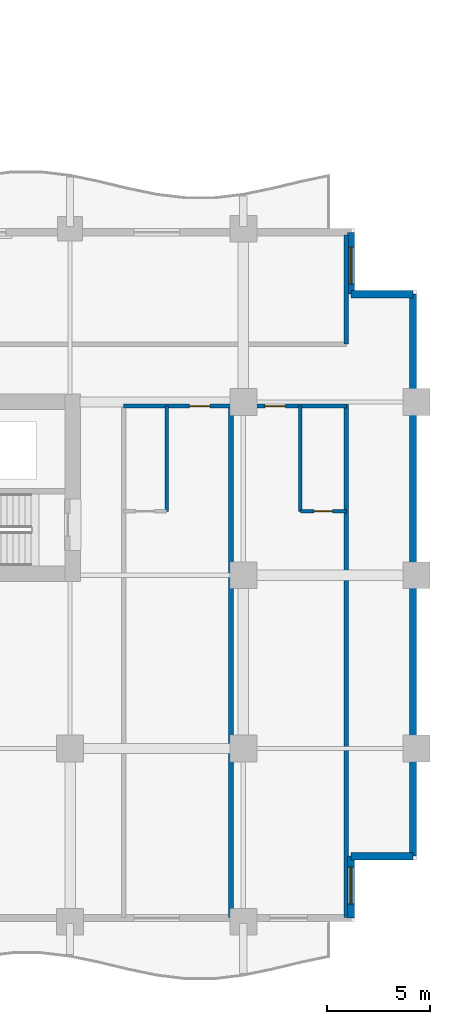
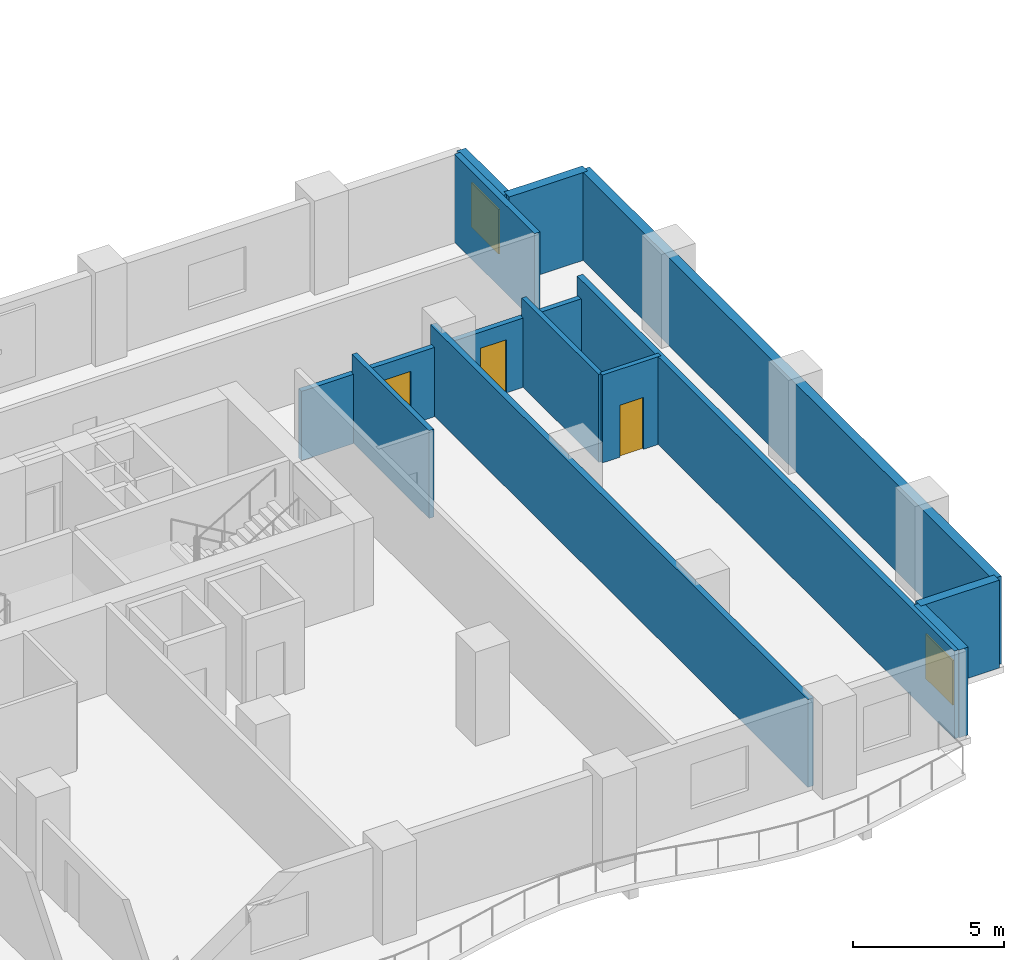
# One storey, part 10 of 18: 12 walls, 3 doors, 2 windows, 5 openings.
"""IFC4 building model written with IfcOpenShell, lengths in metres."""

import ifcopenshell
import ifcopenshell.guid

model = None  # the IFC model being written
_history = None  # IfcOwnerHistory: only IFC2X3 demands one
_inside = {}  # id of a spatial element -> (the spatial element, [elements in it])
_under = {}  # id of a project, library or spatial element -> (it, [spatial elements below it])
_declared = {}  # id of a project -> (the project, [libraries it declares])
_typed = {}  # id of a type object -> (the type object, [elements of that type])
_made_of = {}  # id of a material, layer set ... -> (it, [elements and type objects made of it])


def new_model(schema):
    """Start an empty IFC model of exactly this schema.

    Asked for "IFC4X3", IfcOpenShell would pick the latest addendum, in which some entities
    have other attributes; the version numbers below select the first issue.
    IFC2X3 requires an IfcOwnerHistory on every rooted entity: one is made here for all.
    """
    global model, _history
    if schema == "IFC4X3":
        model = ifcopenshell.file(schema_version=(4, 3, 0, 0))
    else:
        model = ifcopenshell.file(schema=schema)
    _inside.clear()
    _under.clear()
    _declared.clear()
    _typed.clear()
    _made_of.clear()
    _history = None
    if model.schema == "IFC2X3":
        org = make("IfcOrganization", Name="unknown")
        user = make(
            "IfcPersonAndOrganization",
            ThePerson=make("IfcPerson", FamilyName="unknown"),
            TheOrganization=org,
        )
        app = make(
            "IfcApplication",
            ApplicationDeveloper=org,
            Version="unknown",
            ApplicationFullName="unknown",
            ApplicationIdentifier="unknown",
        )
        _history = make(
            "IfcOwnerHistory",
            OwningUser=user,
            OwningApplication=app,
            ChangeAction="ADDED",
            CreationDate=0,
        )
    return model


def make(cls, **values):
    """One entity of the class cls with the attributes given. An attribute that is None is left unset."""
    return model.create_entity(
        cls, **{name: value for name, value in values.items() if value is not None}
    )


def rooted(cls, **values):
    """An entity with a GlobalId (a new one), such as an element, a storey or a relation."""
    return make(cls, GlobalId=ifcopenshell.guid.new(), OwnerHistory=_history, **values)


def si_unit(unit_type, name, prefix=None):
    """IfcSIUnit, for example si_unit("LENGTHUNIT", "METRE", prefix="MILLI")."""
    return make("IfcSIUnit", UnitType=unit_type, Prefix=prefix, Name=name)


def assignment(units):
    """IfcUnitAssignment: the units of a project."""
    return None if units is None else make("IfcUnitAssignment", Units=units)


def point(xyz):
    """IfcCartesianPoint."""
    return None if xyz is None else make("IfcCartesianPoint", Coordinates=xyz)


def direction(xyz):
    """IfcDirection."""
    return None if xyz is None else make("IfcDirection", DirectionRatios=xyz)


def frame(location, z_axis=None, x_axis=None):
    """IfcAxis2Placement3D, a coordinate frame: its origin and axes. An axis left out is left unset."""
    return make(
        "IfcAxis2Placement3D",
        Location=point(location),
        Axis=direction(z_axis),
        RefDirection=direction(x_axis),
    )


def frame_2d(location, x_axis=None):
    """IfcAxis2Placement2D, a coordinate frame in the plane: its origin and x axis."""
    return make(
        "IfcAxis2Placement2D", Location=point(location), RefDirection=direction(x_axis)
    )


def origin():
    """The frame at (0, 0, 0) with its axes left unset."""
    return frame((0.0, 0.0, 0.0))


def place(relative_to, where):
    """IfcLocalPlacement: puts the frame where relative to a parent placement (None: the world)."""
    return make(
        "IfcLocalPlacement", PlacementRelTo=relative_to, RelativePlacement=where
    )


def context(
    kind, dimensions, precision=None, world=None, true_north=None, identifier=None
):
    """IfcGeometricRepresentationContext, for example the 3D "Model" context."""
    return make(
        "IfcGeometricRepresentationContext",
        ContextIdentifier=identifier,
        ContextType=kind,
        CoordinateSpaceDimension=dimensions,
        Precision=precision,
        WorldCoordinateSystem=world,
        TrueNorth=true_north,
    )


def subcontext(parent, identifier, kind, view, scale=None):
    """IfcGeometricRepresentationSubContext, for example "Body" below "Model"."""
    return make(
        "IfcGeometricRepresentationSubContext",
        ContextIdentifier=identifier,
        ContextType=kind,
        ParentContext=parent,
        TargetScale=scale,
        TargetView=view,
    )


def project(units=None, contexts=None):
    """IfcProject with its units and contexts."""
    return rooted(
        "IfcProject",
        Name="project",
        RepresentationContexts=contexts,
        UnitsInContext=assignment(units),
    )


def spatial(cls, under=None, at=None, **own):
    """A site, building, storey or space (cls), placed at a placement, below another one or the project."""
    s = rooted(cls, ObjectPlacement=at, **own)
    if under is not None:
        _under.setdefault(under.id(), (under, []))[1].append(s)
    return s


def profile(cls, at=None, kind="AREA", **sizes):
    """A parametric profile (cls). Its sizes go by their IFC names, for example OverallWidth=200.0."""
    return make(cls, ProfileType=kind, Position=at, **sizes)


def rectangle(**sizes):
    """IfcRectangleProfileDef."""
    return profile("IfcRectangleProfileDef", **sizes)


def extrude(swept, where, along, depth):
    """IfcExtrudedAreaSolid: the profile swept, set in the frame where, extruded along a direction by depth."""
    return make(
        "IfcExtrudedAreaSolid",
        SweptArea=swept,
        Position=where,
        ExtrudedDirection=direction(along),
        Depth=depth,
    )


def shape(context_of_items, identifier, shape_type, items):
    """IfcShapeRepresentation: the items that make up one representation, for example the "Body"."""
    return make(
        "IfcShapeRepresentation",
        ContextOfItems=context_of_items,
        RepresentationIdentifier=identifier,
        RepresentationType=shape_type,
        Items=items,
    )


def material(Name=None, Category=None):
    """IfcMaterial."""
    return make("IfcMaterial", Name=Name, Category=Category)


def layer(
    of_material, thickness, ventilated=None, Name=None, Category=None, Priority=None
):
    """IfcMaterialLayer: one layer of a wall or slab, of a material (None: an air gap)."""
    return make(
        "IfcMaterialLayer",
        Material=of_material,
        LayerThickness=thickness,
        IsVentilated=ventilated,
        Name=Name,
        Category=Category,
        Priority=Priority,
    )


def layer_set(layers, Name=None):
    """IfcMaterialLayerSet."""
    return make("IfcMaterialLayerSet", MaterialLayers=layers, LayerSetName=Name)


def made_of(thing, what):
    """Note that an element or type object is made of a material, layer set ...; save() writes the relation."""
    if what is not None:
        _made_of.setdefault(what.id(), (what, []))[1].append(thing)
    return thing


def type_object(cls, material=None, **own):
    """A type object (cls), such as IfcWallType, which elements share."""
    return made_of(rooted(cls, **own), material)


def element(
    cls,
    number,
    at=None,
    inside=None,
    cuts=None,
    type_object=None,
    material=None,
    context=None,
    identifier="Body",
    shape_type=None,
    held_by="IfcProductDefinitionShape",
    body=None,
    shapes=None,
    **own,
):
    """One element of the class cls, such as IfcWall. Its Tag is "e" and its number.

    at: its placement. inside: the storey or other place that contains it. cuts: it is an
    opening in that element (IfcRelVoidsElement). A single representation is given by context,
    identifier, shape_type and body (its items); several are given by shapes. held_by: the class
    of the entity that holds the representations. save() writes the other relations.
    """
    e = rooted(cls, Tag="e%d" % number, ObjectPlacement=at, **own)
    if body is not None:
        shapes = [shape(context, identifier, shape_type, body)]
    if shapes is not None:
        e.Representation = make(held_by, Representations=shapes)
    if inside is not None:
        _inside.setdefault(inside.id(), (inside, []))[1].append(e)
    if cuts is not None:
        rooted(
            "IfcRelVoidsElement", RelatingBuildingElement=cuts, RelatedOpeningElement=e
        )
    if type_object is not None:
        _typed.setdefault(type_object.id(), (type_object, []))[1].append(e)
    return made_of(e, material)


def fill(opening, filler):
    """IfcRelFillsElement: the door or window that sits in an opening."""
    return rooted(
        "IfcRelFillsElement",
        RelatingOpeningElement=opening,
        RelatedBuildingElement=filler,
    )


def aggregate(whole, parts):
    """IfcRelAggregates: a whole, such as a stair, and the parts it consists of."""
    return rooted("IfcRelAggregates", RelatingObject=whole, RelatedObjects=parts)


def save(model, path):
    """Write the relations noted so far, then the file.

    IfcRelAggregates (storeys below a building ...), IfcRelContainedInSpatialStructure (elements
    in a storey), IfcRelDefinesByType, IfcRelAssociatesMaterial and IfcRelDeclares: one each for
    every whole, place, type object, material and project.
    """
    for whole, parts in _under.values():
        aggregate(whole, parts)
    for where, things in _inside.values():
        rooted(
            "IfcRelContainedInSpatialStructure",
            RelatedElements=things,
            RelatingStructure=where,
        )
    for kind, things in _typed.values():
        rooted("IfcRelDefinesByType", RelatedObjects=things, RelatingType=kind)
    for what, things in _made_of.values():
        rooted("IfcRelAssociatesMaterial", RelatedObjects=things, RelatingMaterial=what)
    for by, libraries in _declared.values():
        rooted("IfcRelDeclares", RelatingContext=by, RelatedDefinitions=libraries)
    model.write(path)


model = new_model("IFC4")

# Units and contexts
model_context = context("Model", 3, precision=1e-05, world=origin(), true_north=direction((0.0, 1.0)))
body_context = subcontext(model_context, "Body", "Model", "MODEL_VIEW")
ifc_project = project(units=[si_unit("LENGTHUNIT", "METRE"), si_unit("AREAUNIT", "SQUARE_METRE"), si_unit("VOLUMEUNIT", "CUBIC_METRE"), si_unit("PLANEANGLEUNIT", "RADIAN"), si_unit("MASSUNIT", "GRAM", prefix="KILO")], contexts=[model_context])

# Site, building, storey
site_placement = place(None, origin())
site = spatial("IfcSite", under=ifc_project, at=site_placement, CompositionType="ELEMENT")
building_placement = place(site_placement, origin())
building = spatial("IfcBuilding", under=site, at=building_placement, Name="Koriwani Terraces Tower", CompositionType="ELEMENT")
storey_placement = place(building_placement, frame((0.0, 0.0, 100.0)))
storey = spatial("IfcBuildingStorey", under=building, at=storey_placement, Name="L23", CompositionType="ELEMENT", Elevation=100.0)

# Wall, openings, doors
ifc_material_1 = material(Name="Autoclaved Cellular Concrete Blockwork", Category="masonry")
ifc_layer_1 = layer(ifc_material_1, 0.199951171875, Name="Autoclaved Cellular Concrete Blockwork")
ifc_layer_set_1 = layer_set([ifc_layer_1], Name="Autoclaved Cellular Concrete Blockwork")
wall_type_1 = type_object("IfcWallType", Name="WALL_CORRIDOR_200", PredefinedType="PARTITIONING", material=ifc_layer_set_1)
wall_1_placement = place(storey_placement, frame((61.39990234375, 25.0, 0.0), z_axis=(0.0, 0.0, 1.0), x_axis=(1.0, 0.0, 0.0)))
wall_1 = element("IfcWall", 1, at=wall_1_placement, inside=storey, type_object=wall_type_1, Name="L23 Interior Wall WCOR-L23-SE-0", PredefinedType="PARTITIONING", context=body_context, shape_type="SweptSolid", body=[
    extrude(rectangle(XDim=10.800048828125, YDim=0.199951171875, at=frame_2d((5.39990234375, 0.0))), origin(), (0.0, 0.0, 1.0), 2.800048828125),
])
opening_1_placement = place(wall_1_placement, frame((3.179931640625, 0.0, 0.0)))
opening_1 = element("IfcOpeningElement", 2, at=opening_1_placement, cuts=wall_1, Name="Opening D-05", PredefinedType="OPENING", context=body_context, shape_type="SweptSolid", body=[
    extrude(rectangle(XDim=1.0, YDim=2.14990234375, at=frame_2d((0.5, 1.074951171875))), frame((0.0, 0.10986328125, 0.0), z_axis=(0.0, -1.0, 0.0), x_axis=(1.0, 0.0, 0.0)), (0.0, 0.0, 1.0), 0.219970703125),
])
opening_2_placement = place(wall_1_placement, frame((6.840087890625, 0.0, 0.0)))
opening_2 = element("IfcOpeningElement", 3, at=opening_2_placement, cuts=wall_1, Name="Opening D-05", PredefinedType="OPENING", context=body_context, shape_type="SweptSolid", body=[
    extrude(rectangle(XDim=1.0, YDim=2.14990234375, at=frame_2d((0.5, 1.074951171875))), frame((0.0, 0.10986328125, 0.0), z_axis=(0.0, -1.0, 0.0), x_axis=(1.0, 0.0, 0.0)), (0.0, 0.0, 1.0), 0.219970703125),
])
ifc_material_2 = material(Name="Architectural Oak Fire Door", Category="wood")
door_type_1 = type_object("IfcDoorType", Name="DOOR_SUITE_ENTRY_1000X2150", OperationType="NOTDEFINED", PredefinedType="DOOR", material=ifc_material_2)
door_1_placement = place(opening_1_placement, origin())
door_1 = element("IfcDoor", 4, at=door_1_placement, inside=storey, type_object=door_type_1, Name="Luxury Hotel Suite 23SE1 Entrance Door", OperationType="SINGLE_SWING_RIGHT", OverallHeight=2.14990234375, OverallWidth=1.0, PredefinedType="DOOR", context=body_context, shape_type="SweptSolid", body=[
    extrude(rectangle(XDim=1.0, YDim=2.14990234375, at=frame_2d((0.5, 1.074951171875))), frame((0.0, 0.02490234375, 0.0), z_axis=(0.0, -1.0, 0.0), x_axis=(1.0, 0.0, 0.0)), (0.0, 0.0, 1.0), 0.050048828125),
])
fill(opening_1, door_1)
door_2_placement = place(opening_2_placement, origin())
door_2 = element("IfcDoor", 5, at=door_2_placement, inside=storey, type_object=door_type_1, Name="Luxury Hotel Suite 23SE2 Entrance Door", OperationType="SINGLE_SWING_RIGHT", OverallHeight=2.14990234375, OverallWidth=1.0, PredefinedType="DOOR", context=body_context, shape_type="SweptSolid", body=[
    extrude(rectangle(XDim=1.0, YDim=2.14990234375, at=frame_2d((0.5, 1.074951171875))), frame((0.0, 0.02490234375, 0.0), z_axis=(0.0, -1.0, 0.0), x_axis=(1.0, 0.0, 0.0)), (0.0, 0.0, 1.0), 0.050048828125),
])
fill(opening_2, door_2)

# Walls
ifc_layer_2 = layer(ifc_material_1, 0.219970703125, Name="Autoclaved Cellular Concrete Blockwork")
ifc_layer_set_2 = layer_set([ifc_layer_2], Name="Autoclaved Cellular Concrete Blockwork")
wall_type_2 = type_object("IfcWallType", Name="WALL_DEMISING_220", PredefinedType="PARTITIONING", material=ifc_layer_set_2)
for number, where, z_axis, x_axis, name in (
    (6, (66.60009765625, 0.199951171875, 0.0), (0.0, 0.0, 1.0), (0.0, 1.0, 0.0), "L23 Interior Wall WDEM-L23-SE-1"),
    (7, (72.199951171875, 0.199951171875, 0.0), (0.0, 0.0, 1.0), (0.0, 1.0, 0.0), "L23 Interior Wall WDEME-L23-SE"),
):
    element("IfcWall", number, at=place(storey_placement, frame(where, z_axis=z_axis, x_axis=x_axis)), inside=storey, type_object=wall_type_2, Name=name, PredefinedType="PARTITIONING", context=body_context, shape_type="SweptSolid", body=[
        extrude(rectangle(XDim=24.97998046875, YDim=0.219970703125, at=frame_2d((12.489990234375, 0.0))), origin(), (0.0, 0.0, 1.0), 3.550048828125),
    ])
wall_2_placement = place(storey_placement, frame((72.199951171875, 28.0, 0.0), z_axis=(0.0, 0.0, 1.0), x_axis=(0.0, 1.0, 0.0)))
element("IfcWall", 8, at=wall_2_placement, inside=storey, type_object=wall_type_2, Name="L23 Interior Wall WSEC-E-L23", PredefinedType="PARTITIONING", context=body_context, shape_type="SweptSolid", body=[
    extrude(rectangle(XDim=5.300048828125, YDim=0.219970703125, at=frame_2d((2.64990234375, 0.0))), origin(), (0.0, 0.0, 1.0), 3.550048828125),
])

# Wall, opening, window
ifc_material_3 = material(Name="Concrete C50/60", Category="concrete")
ifc_layer_3 = layer(ifc_material_3, 0.35009765625, Name="Concrete C50/60")
ifc_layer_set_3 = layer_set([ifc_layer_3], Name="Concrete C50/60")
wall_type_3 = type_object("IfcWallType", Name="WALL_EXT_BRUTALIST_350", PredefinedType="STANDARD", material=ifc_layer_set_3)
wall_3_placement = place(storey_placement, frame((72.425048828125, 33.425048828125, 0.0), z_axis=(0.0, 0.0, 1.0), x_axis=(0.0, -1.0, 0.0)))
wall_3 = element("IfcWall", 9, at=wall_3_placement, inside=storey, type_object=wall_type_3, Name="L23 Fair-Faced Brutalist Exterior Wall (N10)", PredefinedType="STANDARD", context=body_context, shape_type="SweptSolid", body=[
    extrude(rectangle(XDim=3.0, YDim=0.35009765625, at=frame_2d((1.5, 0.0))), origin(), (0.0, 0.0, 1.0), 3.550048828125),
])
opening_3_placement = place(wall_3_placement, frame((0.71240234375, 0.0, 0.85009765625)))
opening_3 = element("IfcOpeningElement", 10, at=opening_3_placement, cuts=wall_3, Name="Opening W-04", PredefinedType="OPENING", context=body_context, shape_type="SweptSolid", body=[
    extrude(rectangle(XDim=1.800048828125, YDim=1.800048828125, at=frame_2d((0.89990234375, 0.89990234375))), frame((0.0, 0.18505859375, 0.0), z_axis=(0.0, -1.0, 0.0), x_axis=(1.0, 0.0, 0.0)), (0.0, 0.0, 1.0), 0.3701171875),
])
ifc_material_4 = material(Name="Tempered Laminated Low-E Glass", Category="glass")
window_type = type_object("IfcWindowType", Name="WIN_RES_BED_1800X1800", PartitioningType="DOUBLE_PANEL_VERTICAL", PredefinedType="WINDOW", material=ifc_material_4)
window_1_placement = place(opening_3_placement, origin())
window_1 = element("IfcWindow", 11, at=window_1_placement, inside=storey, type_object=window_type, Name="L23 Exterior Window (N10-R57)", OverallHeight=1.800048828125, OverallWidth=1.800048828125, PartitioningType="SINGLE_PANEL", PredefinedType="WINDOW", context=body_context, shape_type="SweptSolid", body=[
    extrude(rectangle(XDim=1.800048828125, YDim=1.800048828125, at=frame_2d((0.89990234375, 0.89990234375))), frame((0.0, 0.030029296875, 0.0), z_axis=(0.0, -1.0, 0.0), x_axis=(1.0, 0.0, 0.0)), (0.0, 0.0, 1.0), 0.06005859375),
])
fill(opening_3, window_1)

# Walls
wall_4_placement = place(storey_placement, frame((72.425048828125, 30.425048828125, 0.0), z_axis=(0.0, 0.0, 1.0), x_axis=(1.0, 0.0, 0.0)))
element("IfcWall", 12, at=wall_4_placement, inside=storey, type_object=wall_type_3, Name="L23 Fair-Faced Brutalist Exterior Wall (N11)", PredefinedType="STANDARD", context=body_context, shape_type="SweptSolid", body=[
    extrude(rectangle(XDim=3.0, YDim=0.35009765625, at=frame_2d((1.5, 0.0))), origin(), (0.0, 0.0, 1.0), 3.550048828125),
])
wall_5_placement = place(storey_placement, frame((75.425048828125, 30.425048828125, 0.0), z_axis=(0.0, 0.0, 1.0), x_axis=(0.0, -1.0, 0.0)))
element("IfcWall", 13, at=wall_5_placement, inside=storey, type_object=wall_type_3, Name="L23 Fair-Faced Brutalist Exterior Wall (E_TIP)", PredefinedType="STANDARD", context=body_context, shape_type="SweptSolid", body=[
    extrude(rectangle(XDim=27.25, YDim=0.35009765625, at=frame_2d((13.625, 0.0))), origin(), (0.0, 0.0, 1.0), 3.550048828125),
])
wall_6_placement = place(storey_placement, frame((75.425048828125, 3.175048828125, 0.0), z_axis=(0.0, 0.0, 1.0), x_axis=(-1.0, 0.0, 0.0)))
element("IfcWall", 14, at=wall_6_placement, inside=storey, type_object=wall_type_3, Name="L23 Fair-Faced Brutalist Exterior Wall (N13)", PredefinedType="STANDARD", context=body_context, shape_type="SweptSolid", body=[
    extrude(rectangle(XDim=3.0, YDim=0.35009765625, at=frame_2d((1.5, 0.0))), origin(), (0.0, 0.0, 1.0), 3.550048828125),
])

# Wall, opening, window
wall_7_placement = place(storey_placement, frame((72.425048828125, 3.175048828125, 0.0), z_axis=(0.0, 0.0, 1.0), x_axis=(0.0, -1.0, 0.0)))
wall_7 = element("IfcWall", 15, at=wall_7_placement, inside=storey, type_object=wall_type_3, Name="L23 Fair-Faced Brutalist Exterior Wall (N14)", PredefinedType="STANDARD", context=body_context, shape_type="SweptSolid", body=[
    extrude(rectangle(XDim=3.0, YDim=0.35009765625, at=frame_2d((1.5, 0.0))), origin(), (0.0, 0.0, 1.0), 3.550048828125),
])
opening_4_placement = place(wall_7_placement, frame((0.5224609375, 0.0, 0.85009765625)))
opening_4 = element("IfcOpeningElement", 16, at=opening_4_placement, cuts=wall_7, Name="Opening W-04", PredefinedType="OPENING", context=body_context, shape_type="SweptSolid", body=[
    extrude(rectangle(XDim=1.800048828125, YDim=1.800048828125, at=frame_2d((0.89990234375, 0.89990234375))), frame((0.0, 0.18505859375, 0.0), z_axis=(0.0, -1.0, 0.0), x_axis=(1.0, 0.0, 0.0)), (0.0, 0.0, 1.0), 0.3701171875),
])
window_2_placement = place(opening_4_placement, origin())
window_2 = element("IfcWindow", 17, at=window_2_placement, inside=storey, type_object=window_type, Name="L23 Exterior Window (N14-R55)", OverallHeight=1.800048828125, OverallWidth=1.800048828125, PartitioningType="SINGLE_PANEL", PredefinedType="WINDOW", context=body_context, shape_type="SweptSolid", body=[
    extrude(rectangle(XDim=1.800048828125, YDim=1.800048828125, at=frame_2d((0.89990234375, 0.89990234375))), frame((0.0, 0.030029296875, 0.0), z_axis=(0.0, -1.0, 0.0), x_axis=(1.0, 0.0, 0.0)), (0.0, 0.0, 1.0), 0.06005859375),
])
fill(opening_4, window_2)

# Wall
ifc_material_5 = material(Name="Fire-Rated Acoustic Gypsum Partition", Category="masonry")
ifc_layer_4 = layer(ifc_material_5, 0.179931640625, Name="Fire-Rated Acoustic Gypsum Partition")
ifc_layer_set_4 = layer_set([ifc_layer_4], Name="Fire-Rated Acoustic Gypsum Partition")
wall_type_4 = type_object("IfcWallType", Name="WALL_PLUMBING_180", PredefinedType="PLUMBINGWALL", material=ifc_layer_set_4)
wall_8_placement = place(storey_placement, frame((63.47998046875, 19.89990234375, 0.0), z_axis=(0.0, 0.0, 1.0), x_axis=(0.0, 1.0, 0.0)))
element("IfcWall", 18, at=wall_8_placement, inside=storey, type_object=wall_type_4, Name="L23 Interior Wall WBTH2-L23-SE-0", PredefinedType="PLUMBINGWALL", context=body_context, shape_type="SweptSolid", body=[
    extrude(rectangle(XDim=5.10009765625, YDim=0.179931640625, at=frame_2d((2.550048828125, 0.0))), origin(), (0.0, 0.0, 1.0), 3.550048828125),
])

# Wall, opening, door
wall_9_placement = place(storey_placement, frame((69.9599609375, 19.89990234375, 0.0), z_axis=(0.0, 0.0, 1.0), x_axis=(1.0, 0.0, 0.0)))
wall_9 = element("IfcWall", 19, at=wall_9_placement, inside=storey, type_object=wall_type_4, Name="L23 Interior Wall WBTH1-L23-SE-1", PredefinedType="PLUMBINGWALL", context=body_context, shape_type="SweptSolid", body=[
    extrude(rectangle(XDim=2.239990234375, YDim=0.179931640625, at=frame_2d((1.1201171875, 0.0))), origin(), (0.0, 0.0, 1.0), 3.550048828125),
])
opening_5_placement = place(wall_9_placement, frame((0.669921875, 0.0, 0.0)))
opening_5 = element("IfcOpeningElement", 20, at=opening_5_placement, cuts=wall_9, Name="Opening D-07", PredefinedType="OPENING", context=body_context, shape_type="SweptSolid", body=[
    extrude(rectangle(XDim=0.89990234375, YDim=2.10009765625, at=frame_2d((0.449951171875, 1.050048828125))), frame((0.0, 0.10009765625, 0.0), z_axis=(0.0, -1.0, 0.0), x_axis=(1.0, 0.0, 0.0)), (0.0, 0.0, 1.0), 0.199951171875),
])
door_type_2 = type_object("IfcDoorType", Name="DOOR_BATH_INT_900X2100", OperationType="NOTDEFINED", PredefinedType="DOOR", material=ifc_material_2)
door_3_placement = place(opening_5_placement, origin())
door_3 = element("IfcDoor", 21, at=door_3_placement, inside=storey, type_object=door_type_2, Name="En-Suite Bathroom 23SE2 Door", OperationType="SINGLE_SWING_LEFT", OverallHeight=2.10009765625, OverallWidth=0.89990234375, PredefinedType="DOOR", context=body_context, shape_type="SweptSolid", body=[
    extrude(rectangle(XDim=0.89990234375, YDim=2.10009765625, at=frame_2d((0.449951171875, 1.050048828125))), frame((0.0, 0.02490234375, 0.0), z_axis=(0.0, -1.0, 0.0), x_axis=(1.0, 0.0, 0.0)), (0.0, 0.0, 1.0), 0.050048828125),
])
fill(opening_5, door_3)

# Wall
wall_10_placement = place(storey_placement, frame((69.9599609375, 19.89990234375, 0.0), z_axis=(0.0, 0.0, 1.0), x_axis=(0.0, 1.0, 0.0)))
element("IfcWall", 22, at=wall_10_placement, inside=storey, type_object=wall_type_4, Name="L23 Interior Wall WBTH2-L23-SE-1", PredefinedType="PLUMBINGWALL", context=body_context, shape_type="SweptSolid", body=[
    extrude(rectangle(XDim=5.10009765625, YDim=0.179931640625, at=frame_2d((2.550048828125, 0.0))), origin(), (0.0, 0.0, 1.0), 3.550048828125),
])

save(model, "model.ifc")
